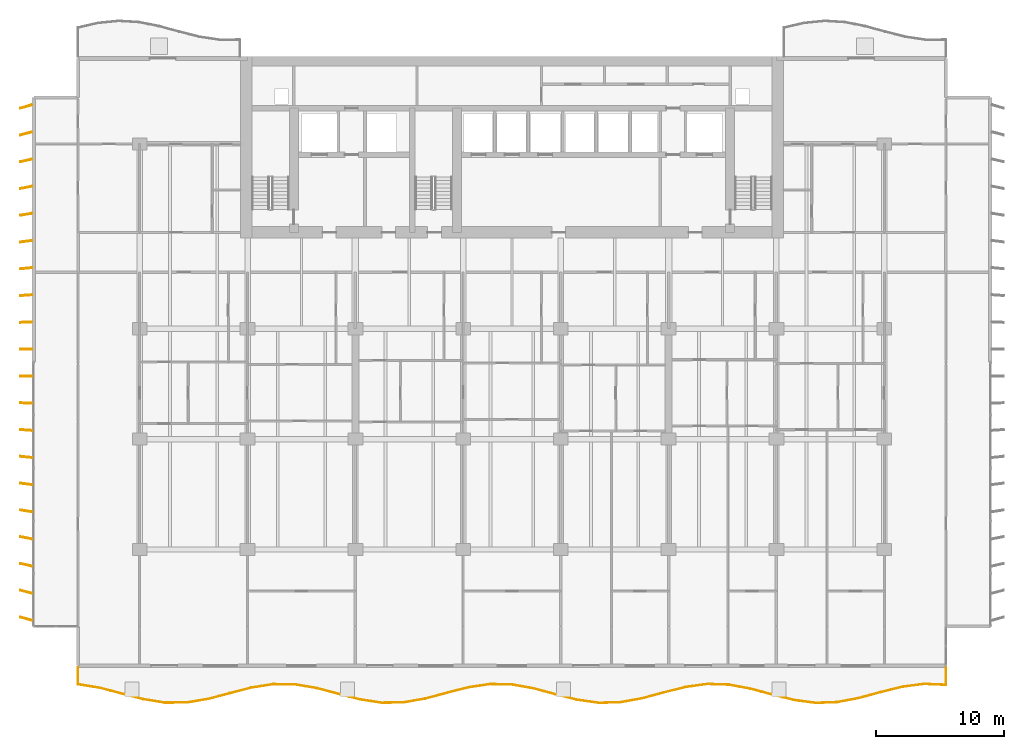
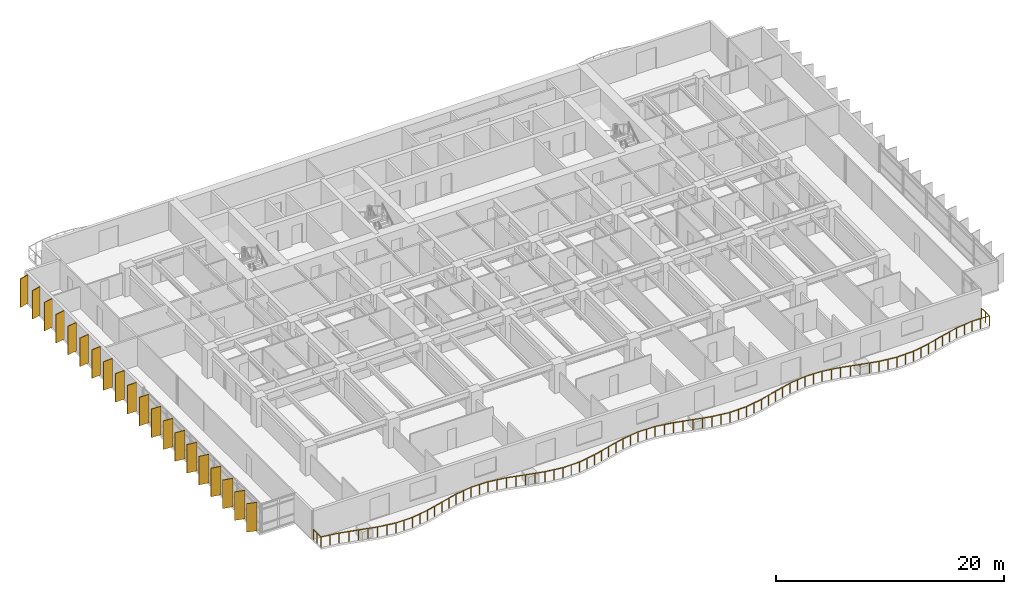
# One storey, part 15 of 18: 20 shading devices, 1 railing.
"""IFC4 building model written with IfcOpenShell, lengths in metres."""

import ifcopenshell
import ifcopenshell.guid

model = None  # the IFC model being written
_history = None  # IfcOwnerHistory: only IFC2X3 demands one
_inside = {}  # id of a spatial element -> (the spatial element, [elements in it])
_under = {}  # id of a project, library or spatial element -> (it, [spatial elements below it])
_declared = {}  # id of a project -> (the project, [libraries it declares])
_typed = {}  # id of a type object -> (the type object, [elements of that type])
_made_of = {}  # id of a material, layer set ... -> (it, [elements and type objects made of it])


def new_model(schema):
    """Start an empty IFC model of exactly this schema.

    Asked for "IFC4X3", IfcOpenShell would pick the latest addendum, in which some entities
    have other attributes; the version numbers below select the first issue.
    IFC2X3 requires an IfcOwnerHistory on every rooted entity: one is made here for all.
    """
    global model, _history
    if schema == "IFC4X3":
        model = ifcopenshell.file(schema_version=(4, 3, 0, 0))
    else:
        model = ifcopenshell.file(schema=schema)
    _inside.clear()
    _under.clear()
    _declared.clear()
    _typed.clear()
    _made_of.clear()
    _history = None
    if model.schema == "IFC2X3":
        org = make("IfcOrganization", Name="unknown")
        user = make(
            "IfcPersonAndOrganization",
            ThePerson=make("IfcPerson", FamilyName="unknown"),
            TheOrganization=org,
        )
        app = make(
            "IfcApplication",
            ApplicationDeveloper=org,
            Version="unknown",
            ApplicationFullName="unknown",
            ApplicationIdentifier="unknown",
        )
        _history = make(
            "IfcOwnerHistory",
            OwningUser=user,
            OwningApplication=app,
            ChangeAction="ADDED",
            CreationDate=0,
        )
    return model


def make(cls, **values):
    """One entity of the class cls with the attributes given. An attribute that is None is left unset."""
    return model.create_entity(
        cls, **{name: value for name, value in values.items() if value is not None}
    )


def rooted(cls, **values):
    """An entity with a GlobalId (a new one), such as an element, a storey or a relation."""
    return make(cls, GlobalId=ifcopenshell.guid.new(), OwnerHistory=_history, **values)


def si_unit(unit_type, name, prefix=None):
    """IfcSIUnit, for example si_unit("LENGTHUNIT", "METRE", prefix="MILLI")."""
    return make("IfcSIUnit", UnitType=unit_type, Prefix=prefix, Name=name)


def assignment(units):
    """IfcUnitAssignment: the units of a project."""
    return None if units is None else make("IfcUnitAssignment", Units=units)


def point(xyz):
    """IfcCartesianPoint."""
    return None if xyz is None else make("IfcCartesianPoint", Coordinates=xyz)


def direction(xyz):
    """IfcDirection."""
    return None if xyz is None else make("IfcDirection", DirectionRatios=xyz)


def frame(location, z_axis=None, x_axis=None):
    """IfcAxis2Placement3D, a coordinate frame: its origin and axes. An axis left out is left unset."""
    return make(
        "IfcAxis2Placement3D",
        Location=point(location),
        Axis=direction(z_axis),
        RefDirection=direction(x_axis),
    )


def frame_2d(location, x_axis=None):
    """IfcAxis2Placement2D, a coordinate frame in the plane: its origin and x axis."""
    return make(
        "IfcAxis2Placement2D", Location=point(location), RefDirection=direction(x_axis)
    )


def origin():
    """The frame at (0, 0, 0) with its axes left unset."""
    return frame((0.0, 0.0, 0.0))


def origin_2d():
    """The frame at (0, 0) in the plane with its x axis left unset."""
    return frame_2d((0.0, 0.0))


def place(relative_to, where):
    """IfcLocalPlacement: puts the frame where relative to a parent placement (None: the world)."""
    return make(
        "IfcLocalPlacement", PlacementRelTo=relative_to, RelativePlacement=where
    )


def context(
    kind, dimensions, precision=None, world=None, true_north=None, identifier=None
):
    """IfcGeometricRepresentationContext, for example the 3D "Model" context."""
    return make(
        "IfcGeometricRepresentationContext",
        ContextIdentifier=identifier,
        ContextType=kind,
        CoordinateSpaceDimension=dimensions,
        Precision=precision,
        WorldCoordinateSystem=world,
        TrueNorth=true_north,
    )


def subcontext(parent, identifier, kind, view, scale=None):
    """IfcGeometricRepresentationSubContext, for example "Body" below "Model"."""
    return make(
        "IfcGeometricRepresentationSubContext",
        ContextIdentifier=identifier,
        ContextType=kind,
        ParentContext=parent,
        TargetScale=scale,
        TargetView=view,
    )


def project(units=None, contexts=None):
    """IfcProject with its units and contexts."""
    return rooted(
        "IfcProject",
        Name="project",
        RepresentationContexts=contexts,
        UnitsInContext=assignment(units),
    )


def spatial(cls, under=None, at=None, **own):
    """A site, building, storey or space (cls), placed at a placement, below another one or the project."""
    s = rooted(cls, ObjectPlacement=at, **own)
    if under is not None:
        _under.setdefault(under.id(), (under, []))[1].append(s)
    return s


def profile(cls, at=None, kind="AREA", **sizes):
    """A parametric profile (cls). Its sizes go by their IFC names, for example OverallWidth=200.0."""
    return make(cls, ProfileType=kind, Position=at, **sizes)


def rectangle(**sizes):
    """IfcRectangleProfileDef."""
    return profile("IfcRectangleProfileDef", **sizes)


def circle(**sizes):
    """IfcCircleProfileDef."""
    return profile("IfcCircleProfileDef", **sizes)


def extrude(swept, where, along, depth):
    """IfcExtrudedAreaSolid: the profile swept, set in the frame where, extruded along a direction by depth."""
    return make(
        "IfcExtrudedAreaSolid",
        SweptArea=swept,
        Position=where,
        ExtrudedDirection=direction(along),
        Depth=depth,
    )


def shape(context_of_items, identifier, shape_type, items):
    """IfcShapeRepresentation: the items that make up one representation, for example the "Body"."""
    return make(
        "IfcShapeRepresentation",
        ContextOfItems=context_of_items,
        RepresentationIdentifier=identifier,
        RepresentationType=shape_type,
        Items=items,
    )


def material(Name=None, Category=None):
    """IfcMaterial."""
    return make("IfcMaterial", Name=Name, Category=Category)


def material_profile(
    of_material, cross_section, Name=None, Category=None, Priority=None
):
    """IfcMaterialProfile: a cross section and its material."""
    return make(
        "IfcMaterialProfile",
        Name=Name,
        Material=of_material,
        Profile=cross_section,
        Priority=Priority,
        Category=Category,
    )


def profile_set(profiles, Name=None, composite=None):
    """IfcMaterialProfileSet."""
    return make(
        "IfcMaterialProfileSet",
        Name=Name,
        MaterialProfiles=profiles,
        CompositeProfile=composite,
    )


def made_of(thing, what):
    """Note that an element or type object is made of a material, layer set ...; save() writes the relation."""
    if what is not None:
        _made_of.setdefault(what.id(), (what, []))[1].append(thing)
    return thing


def type_object(cls, material=None, **own):
    """A type object (cls), such as IfcWallType, which elements share."""
    return made_of(rooted(cls, **own), material)


def element(
    cls,
    number,
    at=None,
    inside=None,
    cuts=None,
    type_object=None,
    material=None,
    context=None,
    identifier="Body",
    shape_type=None,
    held_by="IfcProductDefinitionShape",
    body=None,
    shapes=None,
    **own,
):
    """One element of the class cls, such as IfcWall. Its Tag is "e" and its number.

    at: its placement. inside: the storey or other place that contains it. cuts: it is an
    opening in that element (IfcRelVoidsElement). A single representation is given by context,
    identifier, shape_type and body (its items); several are given by shapes. held_by: the class
    of the entity that holds the representations. save() writes the other relations.
    """
    e = rooted(cls, Tag="e%d" % number, ObjectPlacement=at, **own)
    if body is not None:
        shapes = [shape(context, identifier, shape_type, body)]
    if shapes is not None:
        e.Representation = make(held_by, Representations=shapes)
    if inside is not None:
        _inside.setdefault(inside.id(), (inside, []))[1].append(e)
    if cuts is not None:
        rooted(
            "IfcRelVoidsElement", RelatingBuildingElement=cuts, RelatedOpeningElement=e
        )
    if type_object is not None:
        _typed.setdefault(type_object.id(), (type_object, []))[1].append(e)
    return made_of(e, material)


def aggregate(whole, parts):
    """IfcRelAggregates: a whole, such as a stair, and the parts it consists of."""
    return rooted("IfcRelAggregates", RelatingObject=whole, RelatedObjects=parts)


def save(model, path):
    """Write the relations noted so far, then the file.

    IfcRelAggregates (storeys below a building ...), IfcRelContainedInSpatialStructure (elements
    in a storey), IfcRelDefinesByType, IfcRelAssociatesMaterial and IfcRelDeclares: one each for
    every whole, place, type object, material and project.
    """
    for whole, parts in _under.values():
        aggregate(whole, parts)
    for where, things in _inside.values():
        rooted(
            "IfcRelContainedInSpatialStructure",
            RelatedElements=things,
            RelatingStructure=where,
        )
    for kind, things in _typed.values():
        rooted("IfcRelDefinesByType", RelatedObjects=things, RelatingType=kind)
    for what, things in _made_of.values():
        rooted("IfcRelAssociatesMaterial", RelatedObjects=things, RelatingMaterial=what)
    for by, libraries in _declared.values():
        rooted("IfcRelDeclares", RelatingContext=by, RelatedDefinitions=libraries)
    model.write(path)


model = new_model("IFC4")

# Units and contexts
model_context = context("Model", 3, precision=1e-05, world=origin(), true_north=direction((0.0, 1.0)))
body_context = subcontext(model_context, "Body", "Model", "MODEL_VIEW")
ifc_project = project(units=[si_unit("LENGTHUNIT", "METRE"), si_unit("AREAUNIT", "SQUARE_METRE"), si_unit("VOLUMEUNIT", "CUBIC_METRE"), si_unit("PLANEANGLEUNIT", "RADIAN"), si_unit("MASSUNIT", "GRAM", prefix="KILO")], contexts=[model_context])

# Site, building, storey
site_placement = place(None, origin())
site = spatial("IfcSite", under=ifc_project, at=site_placement, CompositionType="ELEMENT")
building_placement = place(site_placement, origin())
building = spatial("IfcBuilding", under=site, at=building_placement, Name="Caelmar Bay Residences", CompositionType="ELEMENT")
storey_placement = place(building_placement, frame((0.0, 0.0, 56.39990234375)))
storey = spatial("IfcBuildingStorey", under=building, at=storey_placement, Name="L14", CompositionType="ELEMENT", Elevation=56.39990234375)

# Railing
ifc_material_1 = material(Name="Anodised bronze handrail with laminated hurricane glass infill", Category="glass")
railing_type = type_object("IfcRailingType", Name="RL-BAL-1100", PredefinedType="BALUSTRADE", material=ifc_material_1)
railing_placement = place(storey_placement, frame((5.10009765625, 3.0, 0.0)))
element("IfcRailing", 1, at=railing_placement, inside=storey, type_object=railing_type, Name="L14 south Balcony Balustrade", PredefinedType="BALUSTRADE", context=body_context, shape_type="SweptSolid", body=[
    extrude(circle(Radius=0.02392578125, at=origin_2d()), frame((0.0, 0.0, 1.076171875), z_axis=(0.0, -1.0, 0.0), x_axis=(1.0, 0.0, 0.0)), (0.0, 0.0, 1.0), 1.306640625),
    extrude(circle(Radius=0.02392578125, at=origin_2d()), frame((0.0, -1.306640625, 1.076171875), z_axis=(0.987048783578, -0.160420381613, 0.0), x_axis=(0.160420381613, 0.987048783578, 0.0)), (0.0, 0.0, 1.0), 1.712158203125),
    extrude(circle(Radius=0.02392578125, at=origin_2d()), frame((1.68994140625, -1.581298828125, 1.076171875), z_axis=(0.967128809859, -0.254286973988, 0.0), x_axis=(0.254286973988, 0.967128809859, 0.0)), (0.0, 0.0, 1.0), 1.747314453125),
    extrude(circle(Radius=0.02392578125, at=origin_2d()), frame((3.3798828125, -2.025634765625, 1.076171875), z_axis=(0.967471654439, -0.252979441568, 0.0), x_axis=(0.252979441568, 0.967471654439, 0.0)), (0.0, 0.0, 1.0), 1.746826171875),
    extrude(circle(Radius=0.02392578125, at=origin_2d()), frame((5.06982421875, -2.467529296875, 1.076171875), z_axis=(0.987544565194, -0.157339542887, 0.0), x_axis=(0.157339542887, 0.987544565194, 0.0)), (0.0, 0.0, 1.0), 1.71142578125),
    extrude(circle(Radius=0.02392578125, at=origin_2d()), frame((6.760009765625, -2.73681640625, 1.076171875), z_axis=(0.999988636103, 0.004767354087, 0.0), x_axis=(-0.004767354087, 0.999988636103, 0.0)), (0.0, 0.0, 1.0), 1.68994140625),
    extrude(circle(Radius=0.02392578125, at=origin_2d()), frame((8.449951171875, -2.728759765625, 1.076171875), z_axis=(0.986386220037, 0.164445203398, 0.0), x_axis=(-0.164445203398, 0.986386220037, 0.0)), (0.0, 0.0, 1.0), 1.71337890625),
    extrude(circle(Radius=0.02392578125, at=origin_2d()), frame((10.139892578125, -2.447021484375, 1.076171875), z_axis=(0.966818948521, 0.255462562387, 0.0), x_axis=(-0.255462562387, 0.966818948521, 0.0)), (0.0, 0.0, 1.0), 1.748046875),
    extrude(circle(Radius=0.02392578125, at=origin_2d()), frame((11.829833984375, -2.00048828125, 1.076171875), z_axis=(0.967855864516, 0.251505517877, 0.0), x_axis=(-0.251505517877, 0.967855864516, 0.0)), (0.0, 0.0, 1.0), 1.746337890625),
    extrude(circle(Radius=0.02392578125, at=origin_2d()), frame((13.52001953125, -1.561279296875, 1.076171875), z_axis=(0.988197761008, 0.153183501526, 0.0), x_axis=(-0.153183501526, 0.988197761008, 0.0)), (0.0, 0.0, 1.0), 1.710205078125),
    extrude(circle(Radius=0.02392578125, at=origin_2d()), frame((15.2099609375, -1.29931640625, 1.076171875), z_axis=(0.999951750457, -0.00982327637, 0.0), x_axis=(0.00982327637, 0.999951750457, 0.0)), (0.0, 0.0, 1.0), 1.68994140625),
    extrude(circle(Radius=0.02392578125, at=origin_2d()), frame((16.89990234375, -1.31591796875, 1.076171875), z_axis=(0.985731815478, -0.168323462279, 0.0), x_axis=(0.168323462279, 0.985731815478, 0.0)), (0.0, 0.0, 1.0), 1.71435546875),
    extrude(circle(Radius=0.02392578125, at=origin_2d()), frame((18.58984375, -1.6044921875, 1.076171875), z_axis=(0.966438560958, -0.256897854979, 0.0), x_axis=(0.256897854979, 0.966438560958, 0.0)), (0.0, 0.0, 1.0), 1.74853515625),
    extrude(circle(Radius=0.02392578125, at=origin_2d()), frame((20.27978515625, -2.0537109375, 1.076171875), z_axis=(0.968296970277, -0.249801876197, 0.0), x_axis=(0.249801876197, 0.968296970277, 0.0)), (0.0, 0.0, 1.0), 1.74560546875),
    extrude(circle(Radius=0.02392578125, at=origin_2d()), frame((21.969970703125, -2.48974609375, 1.076171875), z_axis=(0.988837638732, -0.148997061138, 0.0), x_axis=(0.148997061138, 0.988837638732, 0.0)), (0.0, 0.0, 1.0), 1.708984375),
    extrude(circle(Radius=0.02392578125, at=origin_2d()), frame((23.659912109375, -2.744384765625, 1.076171875), z_axis=(0.999889309805, 0.014878445378, 0.0), x_axis=(-0.014878445378, 0.999889309805, 0.0)), (0.0, 0.0, 1.0), 1.690185546875),
    extrude(circle(Radius=0.02392578125, at=origin_2d()), frame((25.349853515625, -2.71923828125, 1.076171875), z_axis=(0.985063070992, 0.17219392024, 0.0), x_axis=(-0.17219392024, 0.985063070992, 0.0)), (0.0, 0.0, 1.0), 1.715576171875),
    extrude(circle(Radius=0.02392578125, at=origin_2d()), frame((27.039794921875, -2.423828125, 1.076171875), z_axis=(0.966135268407, 0.258036127587, 0.0), x_axis=(-0.258036127587, 0.966135268407, 0.0)), (0.0, 0.0, 1.0), 1.74951171875),
    extrude(circle(Radius=0.02392578125, at=origin_2d()), frame((28.72998046875, -1.972412109375, 1.076171875), z_axis=(0.968693212149, 0.248260872342, 0.0), x_axis=(-0.248260872342, 0.968693212149, 0.0)), (0.0, 0.0, 1.0), 1.74462890625),
    extrude(circle(Radius=0.02392578125, at=origin_2d()), frame((30.419921875, -1.539306640625, 1.076171875), z_axis=(0.989460564614, 0.144802593463, 0.0), x_axis=(-0.144802593463, 0.989460564614, 0.0)), (0.0, 0.0, 1.0), 1.7080078125),
    extrude(circle(Radius=0.02392578125, at=origin_2d()), frame((32.10986328125, -1.2919921875, 1.076171875), z_axis=(0.999798439654, -0.02007685396, 0.0), x_axis=(0.02007685396, 0.999798439654, 0.0)), (0.0, 0.0, 1.0), 1.690185546875),
    extrude(circle(Radius=0.02392578125, at=origin_2d()), frame((33.7998046875, -1.325927734375, 1.076171875), z_axis=(0.984384484589, -0.176031776964, 0.0), x_axis=(0.176031776964, 0.984384484589, 0.0)), (0.0, 0.0, 1.0), 1.717041015625),
    extrude(circle(Radius=0.02392578125, at=origin_2d()), frame((35.489990234375, -1.628173828125, 1.076171875), z_axis=(0.965847095879, -0.259112692437, 0.0), x_axis=(0.259112692437, 0.965847095879, 0.0)), (0.0, 0.0, 1.0), 1.749755859375),
    extrude(circle(Radius=0.02392578125, at=origin_2d()), frame((37.179931640625, -2.08154296875, 1.076171875), z_axis=(0.969162863866, -0.246421069114, 0.0), x_axis=(0.246421069114, 0.969162863866, 0.0)), (0.0, 0.0, 1.0), 1.74365234375),
    extrude(circle(Radius=0.02392578125, at=origin_2d()), frame((38.869873046875, -2.51123046875, 1.076171875), z_axis=(0.990066439331, -0.140600304805, 0.0), x_axis=(0.140600304805, 0.990066439331, 0.0)), (0.0, 0.0, 1.0), 1.706787109375),
    extrude(circle(Radius=0.02392578125, at=origin_2d()), frame((40.559814453125, -2.751220703125, 1.076171875), z_axis=(0.999680662905, 0.025269986423, 0.0), x_axis=(-0.025269986423, 0.999680662905, 0.0)), (0.0, 0.0, 1.0), 1.690673828125),
    extrude(circle(Radius=0.02392578125, at=origin_2d()), frame((42.25, -2.70849609375, 1.076171875), z_axis=(0.983733191726, 0.179635763413, 0.0), x_axis=(-0.179635763413, 0.983733191726, 0.0)), (0.0, 0.0, 1.0), 1.7177734375),
    extrude(circle(Radius=0.02392578125, at=origin_2d()), frame((43.93994140625, -2.39990234375, 1.076171875), z_axis=(0.965532208633, 0.260283603194, 0.0), x_axis=(-0.260283603194, 0.965532208633, 0.0)), (0.0, 0.0, 1.0), 1.750244140625),
    extrude(circle(Radius=0.02392578125, at=origin_2d()), frame((45.6298828125, -1.9443359375, 1.076171875), z_axis=(0.969662682279, 0.244446891155, 0.0), x_axis=(-0.244446891155, 0.969662682279, 0.0)), (0.0, 0.0, 1.0), 1.742919921875),
    extrude(circle(Radius=0.02392578125, at=origin_2d()), frame((47.31982421875, -1.518310546875, 1.076171875), z_axis=(0.990677150051, 0.13623062933, 0.0), x_axis=(-0.13623062933, 0.990677150051, 0.0)), (0.0, 0.0, 1.0), 1.7060546875),
    extrude(circle(Radius=0.02392578125, at=origin_2d()), frame((49.010009765625, -1.285888671875, 1.076171875), z_axis=(0.999540118713, -0.030324100683, 0.0), x_axis=(0.030324100683, 0.999540118713, 0.0)), (0.0, 0.0, 1.0), 1.690673828125),
    extrude(circle(Radius=0.02392578125, at=origin_2d()), frame((50.699951171875, -1.337158203125, 1.076171875), z_axis=(0.983048586958, -0.183345236314, 0.0), x_axis=(0.183345236314, 0.983048586958, 0.0)), (0.0, 0.0, 1.0), 1.718994140625),
    extrude(circle(Radius=0.02392578125, at=origin_2d()), frame((52.389892578125, -1.65234375, 1.076171875), z_axis=(0.965286457921, -0.261193518591, 0.0), x_axis=(0.261193518591, 0.965286457921, 0.0)), (0.0, 0.0, 1.0), 1.750732421875),
    extrude(circle(Radius=0.02392578125, at=origin_2d()), frame((54.079833984375, -2.109619140625, 1.076171875), z_axis=(0.970134256523, -0.242568597146, 0.0), x_axis=(0.242568597146, 0.970134256523, 0.0)), (0.0, 0.0, 1.0), 1.7421875),
    extrude(circle(Radius=0.02392578125, at=origin_2d()), frame((55.77001953125, -2.5322265625, 1.076171875), z_axis=(0.991282846485, -0.131750970639, 0.0), x_axis=(0.131750970639, 0.991282846485, 0.0)), (0.0, 0.0, 1.0), 1.704833984375),
    extrude(circle(Radius=0.02392578125, at=origin_2d()), frame((57.4599609375, -2.7568359375, 1.076171875), z_axis=(0.99937420633, 0.035372245095, 0.0), x_axis=(-0.035372245095, 0.99937420633, 0.0)), (0.0, 0.0, 1.0), 1.69091796875),
    extrude(circle(Radius=0.02392578125, at=origin_2d()), frame((59.14990234375, -2.697021484375, 1.076171875), z_axis=(0.98237705372, 0.186909936398, 0.0), x_axis=(-0.186909936398, 0.98237705372, 0.0)), (0.0, 0.0, 1.0), 1.72021484375),
    extrude(circle(Radius=0.02392578125, at=origin_2d()), frame((60.83984375, -2.37548828125, 1.076171875), z_axis=(0.965039975648, 0.262102738257, 0.0), x_axis=(-0.262102738257, 0.965039975648, 0.0)), (0.0, 0.0, 1.0), 1.751220703125),
    extrude(circle(Radius=0.02392578125, at=origin_2d()), frame((62.52978515625, -1.91650390625, 1.076171875), z_axis=(0.970659868136, 0.240456691298, 0.0), x_axis=(-0.240456691298, 0.970659868136, 0.0)), (0.0, 0.0, 1.0), 1.7412109375),
    extrude(circle(Radius=0.02392578125, at=origin_2d()), frame((64.219970703125, -1.497802734375, 1.076171875), z_axis=(0.991835257497, 0.127525769889, 0.0), x_axis=(-0.127525769889, 0.991835257497, 0.0)), (0.0, 0.0, 1.0), 1.703857421875),
    extrude(circle(Radius=0.02392578125, at=origin_2d()), frame((65.909912109375, -1.280517578125, 1.076171875), z_axis=(0.999177031749, -0.040561795135, 0.0), x_axis=(0.040561795135, 0.999177031749, 0.0)), (0.0, 0.0, 1.0), 1.69140625),
    extrude(circle(Radius=0.02392578125, at=origin_2d()), frame((67.599853515625, -1.34912109375, 1.076171875), z_axis=(0.0, 1.0, 0.0), x_axis=(-1.0, 0.0, 0.0)), (0.0, 0.0, 1.0), 1.34912109375),
    extrude(circle(Radius=0.02099609375, at=origin_2d()), origin(), (0.0, 0.0, 1.0), 1.052001953125),
    extrude(circle(Radius=0.02099609375, at=origin_2d()), frame((0.0, -0.6533203125, 0.0)), (0.0, 0.0, 1.0), 1.052001953125),
    extrude(circle(Radius=0.02099609375, at=origin_2d()), frame((0.0, -1.306640625, 0.0)), (0.0, 0.0, 1.0), 1.052001953125),
    extrude(circle(Radius=0.02099609375, at=origin_2d()), frame((0.844970703125, -1.44384765625, 0.0)), (0.0, 0.0, 1.0), 1.052001953125),
    extrude(circle(Radius=0.02099609375, at=origin_2d()), frame((1.68994140625, -1.581298828125, 0.0)), (0.0, 0.0, 1.0), 1.052001953125),
    extrude(circle(Radius=0.02099609375, at=origin_2d()), frame((2.534912109375, -1.803466796875, 0.0)), (0.0, 0.0, 1.0), 1.052001953125),
    extrude(circle(Radius=0.02099609375, at=origin_2d()), frame((3.3798828125, -2.025634765625, 0.0)), (0.0, 0.0, 1.0), 1.052001953125),
    extrude(circle(Radius=0.02099609375, at=origin_2d()), frame((4.224853515625, -2.24658203125, 0.0)), (0.0, 0.0, 1.0), 1.052001953125),
    extrude(circle(Radius=0.02099609375, at=origin_2d()), frame((5.06982421875, -2.467529296875, 0.0)), (0.0, 0.0, 1.0), 1.052001953125),
    extrude(circle(Radius=0.02099609375, at=origin_2d()), frame((5.9150390625, -2.60205078125, 0.0)), (0.0, 0.0, 1.0), 1.052001953125),
    extrude(circle(Radius=0.02099609375, at=origin_2d()), frame((6.760009765625, -2.73681640625, 0.0)), (0.0, 0.0, 1.0), 1.052001953125),
    extrude(circle(Radius=0.02099609375, at=origin_2d()), frame((7.60498046875, -2.73291015625, 0.0)), (0.0, 0.0, 1.0), 1.052001953125),
    extrude(circle(Radius=0.02099609375, at=origin_2d()), frame((8.449951171875, -2.728759765625, 0.0)), (0.0, 0.0, 1.0), 1.052001953125),
    extrude(circle(Radius=0.02099609375, at=origin_2d()), frame((9.294921875, -2.587890625, 0.0)), (0.0, 0.0, 1.0), 1.052001953125),
    extrude(circle(Radius=0.02099609375, at=origin_2d()), frame((10.139892578125, -2.447021484375, 0.0)), (0.0, 0.0, 1.0), 1.052001953125),
    extrude(circle(Radius=0.02099609375, at=origin_2d()), frame((10.98486328125, -2.2236328125, 0.0)), (0.0, 0.0, 1.0), 1.052001953125),
    extrude(circle(Radius=0.02099609375, at=origin_2d()), frame((11.829833984375, -2.00048828125, 0.0)), (0.0, 0.0, 1.0), 1.052001953125),
    extrude(circle(Radius=0.02099609375, at=origin_2d()), frame((12.6748046875, -1.78076171875, 0.0)), (0.0, 0.0, 1.0), 1.052001953125),
    extrude(circle(Radius=0.02099609375, at=origin_2d()), frame((13.52001953125, -1.561279296875, 0.0)), (0.0, 0.0, 1.0), 1.052001953125),
    extrude(circle(Radius=0.02099609375, at=origin_2d()), frame((14.364990234375, -1.43017578125, 0.0)), (0.0, 0.0, 1.0), 1.052001953125),
    extrude(circle(Radius=0.02099609375, at=origin_2d()), frame((15.2099609375, -1.29931640625, 0.0)), (0.0, 0.0, 1.0), 1.052001953125),
    extrude(circle(Radius=0.02099609375, at=origin_2d()), frame((16.054931640625, -1.3076171875, 0.0)), (0.0, 0.0, 1.0), 1.052001953125),
    extrude(circle(Radius=0.02099609375, at=origin_2d()), frame((16.89990234375, -1.31591796875, 0.0)), (0.0, 0.0, 1.0), 1.052001953125),
    extrude(circle(Radius=0.02099609375, at=origin_2d()), frame((17.744873046875, -1.460205078125, 0.0)), (0.0, 0.0, 1.0), 1.052001953125),
    extrude(circle(Radius=0.02099609375, at=origin_2d()), frame((18.58984375, -1.6044921875, 0.0)), (0.0, 0.0, 1.0), 1.052001953125),
    extrude(circle(Radius=0.02099609375, at=origin_2d()), frame((19.434814453125, -1.8291015625, 0.0)), (0.0, 0.0, 1.0), 1.052001953125),
    extrude(circle(Radius=0.02099609375, at=origin_2d()), frame((20.27978515625, -2.0537109375, 0.0)), (0.0, 0.0, 1.0), 1.052001953125),
    extrude(circle(Radius=0.02099609375, at=origin_2d()), frame((21.125, -2.271728515625, 0.0)), (0.0, 0.0, 1.0), 1.052001953125),
    extrude(circle(Radius=0.02099609375, at=origin_2d()), frame((21.969970703125, -2.48974609375, 0.0)), (0.0, 0.0, 1.0), 1.052001953125),
    extrude(circle(Radius=0.02099609375, at=origin_2d()), frame((22.81494140625, -2.6171875, 0.0)), (0.0, 0.0, 1.0), 1.052001953125),
    extrude(circle(Radius=0.02099609375, at=origin_2d()), frame((23.659912109375, -2.744384765625, 0.0)), (0.0, 0.0, 1.0), 1.052001953125),
    extrude(circle(Radius=0.02099609375, at=origin_2d()), frame((24.5048828125, -2.73193359375, 0.0)), (0.0, 0.0, 1.0), 1.052001953125),
    extrude(circle(Radius=0.02099609375, at=origin_2d()), frame((25.349853515625, -2.71923828125, 0.0)), (0.0, 0.0, 1.0), 1.052001953125),
    extrude(circle(Radius=0.02099609375, at=origin_2d()), frame((26.19482421875, -2.571533203125, 0.0)), (0.0, 0.0, 1.0), 1.052001953125),
    extrude(circle(Radius=0.02099609375, at=origin_2d()), frame((27.039794921875, -2.423828125, 0.0)), (0.0, 0.0, 1.0), 1.052001953125),
    extrude(circle(Radius=0.02099609375, at=origin_2d()), frame((27.884765625, -2.1982421875, 0.0)), (0.0, 0.0, 1.0), 1.052001953125),
    extrude(circle(Radius=0.02099609375, at=origin_2d()), frame((28.72998046875, -1.972412109375, 0.0)), (0.0, 0.0, 1.0), 1.052001953125),
    extrude(circle(Radius=0.02099609375, at=origin_2d()), frame((29.574951171875, -1.755859375, 0.0)), (0.0, 0.0, 1.0), 1.052001953125),
    extrude(circle(Radius=0.02099609375, at=origin_2d()), frame((30.419921875, -1.539306640625, 0.0)), (0.0, 0.0, 1.0), 1.052001953125),
    extrude(circle(Radius=0.02099609375, at=origin_2d()), frame((31.264892578125, -1.41552734375, 0.0)), (0.0, 0.0, 1.0), 1.052001953125),
    extrude(circle(Radius=0.02099609375, at=origin_2d()), frame((32.10986328125, -1.2919921875, 0.0)), (0.0, 0.0, 1.0), 1.052001953125),
    extrude(circle(Radius=0.02099609375, at=origin_2d()), frame((32.954833984375, -1.30908203125, 0.0)), (0.0, 0.0, 1.0), 1.052001953125),
    extrude(circle(Radius=0.02099609375, at=origin_2d()), frame((33.7998046875, -1.325927734375, 0.0)), (0.0, 0.0, 1.0), 1.052001953125),
    extrude(circle(Radius=0.02099609375, at=origin_2d()), frame((34.64501953125, -1.47705078125, 0.0)), (0.0, 0.0, 1.0), 1.052001953125),
    extrude(circle(Radius=0.02099609375, at=origin_2d()), frame((35.489990234375, -1.628173828125, 0.0)), (0.0, 0.0, 1.0), 1.052001953125),
    extrude(circle(Radius=0.02099609375, at=origin_2d()), frame((36.3349609375, -1.85498046875, 0.0)), (0.0, 0.0, 1.0), 1.052001953125),
    extrude(circle(Radius=0.02099609375, at=origin_2d()), frame((37.179931640625, -2.08154296875, 0.0)), (0.0, 0.0, 1.0), 1.052001953125),
    extrude(circle(Radius=0.02099609375, at=origin_2d()), frame((38.02490234375, -2.29638671875, 0.0)), (0.0, 0.0, 1.0), 1.052001953125),
    extrude(circle(Radius=0.02099609375, at=origin_2d()), frame((38.869873046875, -2.51123046875, 0.0)), (0.0, 0.0, 1.0), 1.052001953125),
    extrude(circle(Radius=0.02099609375, at=origin_2d()), frame((39.71484375, -2.63134765625, 0.0)), (0.0, 0.0, 1.0), 1.052001953125),
    extrude(circle(Radius=0.02099609375, at=origin_2d()), frame((40.559814453125, -2.751220703125, 0.0)), (0.0, 0.0, 1.0), 1.052001953125),
    extrude(circle(Radius=0.02099609375, at=origin_2d()), frame((41.40478515625, -2.72998046875, 0.0)), (0.0, 0.0, 1.0), 1.052001953125),
    extrude(circle(Radius=0.02099609375, at=origin_2d()), frame((42.25, -2.70849609375, 0.0)), (0.0, 0.0, 1.0), 1.052001953125),
    extrude(circle(Radius=0.02099609375, at=origin_2d()), frame((43.094970703125, -2.55419921875, 0.0)), (0.0, 0.0, 1.0), 1.052001953125),
    extrude(circle(Radius=0.02099609375, at=origin_2d()), frame((43.93994140625, -2.39990234375, 0.0)), (0.0, 0.0, 1.0), 1.052001953125),
    extrude(circle(Radius=0.02099609375, at=origin_2d()), frame((44.784912109375, -2.172119140625, 0.0)), (0.0, 0.0, 1.0), 1.052001953125),
    extrude(circle(Radius=0.02099609375, at=origin_2d()), frame((45.6298828125, -1.9443359375, 0.0)), (0.0, 0.0, 1.0), 1.052001953125),
    extrude(circle(Radius=0.02099609375, at=origin_2d()), frame((46.474853515625, -1.7314453125, 0.0)), (0.0, 0.0, 1.0), 1.052001953125),
    extrude(circle(Radius=0.02099609375, at=origin_2d()), frame((47.31982421875, -1.518310546875, 0.0)), (0.0, 0.0, 1.0), 1.052001953125),
    extrude(circle(Radius=0.02099609375, at=origin_2d()), frame((48.1650390625, -1.402099609375, 0.0)), (0.0, 0.0, 1.0), 1.052001953125),
    extrude(circle(Radius=0.02099609375, at=origin_2d()), frame((49.010009765625, -1.285888671875, 0.0)), (0.0, 0.0, 1.0), 1.052001953125),
    extrude(circle(Radius=0.02099609375, at=origin_2d()), frame((49.85498046875, -1.3115234375, 0.0)), (0.0, 0.0, 1.0), 1.052001953125),
    extrude(circle(Radius=0.02099609375, at=origin_2d()), frame((50.699951171875, -1.337158203125, 0.0)), (0.0, 0.0, 1.0), 1.052001953125),
    extrude(circle(Radius=0.02099609375, at=origin_2d()), frame((51.544921875, -1.49462890625, 0.0)), (0.0, 0.0, 1.0), 1.052001953125),
    extrude(circle(Radius=0.02099609375, at=origin_2d()), frame((52.389892578125, -1.65234375, 0.0)), (0.0, 0.0, 1.0), 1.052001953125),
    extrude(circle(Radius=0.02099609375, at=origin_2d()), frame((53.23486328125, -1.880859375, 0.0)), (0.0, 0.0, 1.0), 1.052001953125),
    extrude(circle(Radius=0.02099609375, at=origin_2d()), frame((54.079833984375, -2.109619140625, 0.0)), (0.0, 0.0, 1.0), 1.052001953125),
    extrude(circle(Radius=0.02099609375, at=origin_2d()), frame((54.9248046875, -2.32080078125, 0.0)), (0.0, 0.0, 1.0), 1.052001953125),
    extrude(circle(Radius=0.02099609375, at=origin_2d()), frame((55.77001953125, -2.5322265625, 0.0)), (0.0, 0.0, 1.0), 1.052001953125),
    extrude(circle(Radius=0.02099609375, at=origin_2d()), frame((56.614990234375, -2.64453125, 0.0)), (0.0, 0.0, 1.0), 1.052001953125),
    extrude(circle(Radius=0.02099609375, at=origin_2d()), frame((57.4599609375, -2.7568359375, 0.0)), (0.0, 0.0, 1.0), 1.052001953125),
    extrude(circle(Radius=0.02099609375, at=origin_2d()), frame((58.304931640625, -2.72705078125, 0.0)), (0.0, 0.0, 1.0), 1.052001953125),
    extrude(circle(Radius=0.02099609375, at=origin_2d()), frame((59.14990234375, -2.697021484375, 0.0)), (0.0, 0.0, 1.0), 1.052001953125),
    extrude(circle(Radius=0.02099609375, at=origin_2d()), frame((59.994873046875, -2.5361328125, 0.0)), (0.0, 0.0, 1.0), 1.052001953125),
    extrude(circle(Radius=0.02099609375, at=origin_2d()), frame((60.83984375, -2.37548828125, 0.0)), (0.0, 0.0, 1.0), 1.052001953125),
    extrude(circle(Radius=0.02099609375, at=origin_2d()), frame((61.684814453125, -2.14599609375, 0.0)), (0.0, 0.0, 1.0), 1.052001953125),
    extrude(circle(Radius=0.02099609375, at=origin_2d()), frame((62.52978515625, -1.91650390625, 0.0)), (0.0, 0.0, 1.0), 1.052001953125),
    extrude(circle(Radius=0.02099609375, at=origin_2d()), frame((63.375, -1.70703125, 0.0)), (0.0, 0.0, 1.0), 1.052001953125),
    extrude(circle(Radius=0.02099609375, at=origin_2d()), frame((64.219970703125, -1.497802734375, 0.0)), (0.0, 0.0, 1.0), 1.052001953125),
    extrude(circle(Radius=0.02099609375, at=origin_2d()), frame((65.06494140625, -1.38916015625, 0.0)), (0.0, 0.0, 1.0), 1.052001953125),
    extrude(circle(Radius=0.02099609375, at=origin_2d()), frame((65.909912109375, -1.280517578125, 0.0)), (0.0, 0.0, 1.0), 1.052001953125),
    extrude(circle(Radius=0.02099609375, at=origin_2d()), frame((66.7548828125, -1.31494140625, 0.0)), (0.0, 0.0, 1.0), 1.052001953125),
    extrude(circle(Radius=0.02099609375, at=origin_2d()), frame((67.599853515625, -1.34912109375, 0.0)), (0.0, 0.0, 1.0), 1.052001953125),
    extrude(circle(Radius=0.02099609375, at=origin_2d()), frame((67.599853515625, -0.674560546875, 0.0)), (0.0, 0.0, 1.0), 1.052001953125),
    extrude(circle(Radius=0.02099609375, at=origin_2d()), frame((67.599853515625, 0.0, 0.0)), (0.0, 0.0, 1.0), 1.052001953125),
])

# Shading devices
ifc_material_2 = material(Name="Anodised architectural bronze aluminium 6063-T6", Category="aluminium")
ifc_material_profile = material_profile(ifc_material_2, rectangle(XDim=0.074951171875, YDim=0.949951171875, at=origin_2d()), Name="BRONZE-FIN-75X950")
ifc_profile_set = profile_set([ifc_material_profile], Name="Anodised architectural bronze aluminium 6063-T6")
shading_device_type = type_object("IfcShadingDeviceType", Name="SHD-FIN-950", PredefinedType="USERDEFINED", material=ifc_profile_set)
for number, where, z_axis, x_axis, name in (
    (2, (1.050048828125, 6.800048828125, 0.0), (0.0, 0.0, 1.0), (0.275637355817, 0.961261695938, 0.0), "L14 West Bronze Solar Fin 1"),
    (3, (1.050048828125, 8.89990234375, 0.0), (0.0, 0.0, 1.0), (0.247337247968, 0.968929453452, 0.0), "L14 West Bronze Solar Fin 2"),
    (4, (1.050048828125, 11.0, 0.0), (0.0, 0.0, 1.0), (0.218654200292, 0.975802408633, 0.0), "L14 West Bronze Solar Fin 3"),
    (5, (1.050048828125, 13.10009765625, 0.0), (0.0, 0.0, 1.0), (0.189952291512, 0.981793321911, 0.0), "L14 West Bronze Solar Fin 4"),
    (6, (1.050048828125, 15.199951171875, 0.0), (0.0, 0.0, 1.0), (0.160914826518, 0.986968296657, 0.0), "L14 West Bronze Solar Fin 5"),
    (7, (1.050048828125, 17.300048828125, 0.0), (0.0, 0.0, 1.0), (0.131910382711, 0.991261646052, 0.0), "L14 West Bronze Solar Fin 6"),
    (8, (1.050048828125, 19.39990234375, 0.0), (0.0, 0.0, 1.0), (0.10261892683, 0.994720742649, 0.0), "L14 West Bronze Solar Fin 7"),
    (9, (1.050048828125, 21.5, 0.0), (0.0, 0.0, 1.0), (0.073412260224, 0.997301679558, 0.0), "L14 West Bronze Solar Fin 8"),
    (10, (1.050048828125, 23.60009765625, 0.0), (0.0, 0.0, 1.0), (0.044142481788, 0.999025245578, 0.0), "L14 West Bronze Solar Fin 9"),
    (11, (1.050048828125, 25.699951171875, 0.0), (0.0, 0.0, 1.0), (0.01466024053, 0.999892532899, 0.0), "L14 West Bronze Solar Fin 10"),
    (12, (1.050048828125, 27.800048828125, 0.0), (0.0, 0.0, 1.0), (-0.01466024053, 0.999892532899, 0.0), "L14 West Bronze Solar Fin 11"),
    (13, (1.050048828125, 29.89990234375, 0.0), (0.0, 0.0, 1.0), (-0.044142481788, 0.999025245578, 0.0), "L14 West Bronze Solar Fin 12"),
    (14, (1.050048828125, 32.0, 0.0), (0.0, 0.0, 1.0), (-0.073412260224, 0.997301679558, 0.0), "L14 West Bronze Solar Fin 13"),
    (15, (1.050048828125, 34.10009765625, 0.0), (0.0, 0.0, 1.0), (-0.10261892683, 0.994720742649, 0.0), "L14 West Bronze Solar Fin 14"),
    (16, (1.050048828125, 36.199951171875, 0.0), (0.0, 0.0, 1.0), (-0.131910382711, 0.991261646052, 0.0), "L14 West Bronze Solar Fin 15"),
    (17, (1.050048828125, 38.300048828125, 0.0), (0.0, 0.0, 1.0), (-0.160914826518, 0.986968296657, 0.0), "L14 West Bronze Solar Fin 16"),
    (18, (1.050048828125, 40.39990234375, 0.0), (0.0, 0.0, 1.0), (-0.189952291512, 0.981793321911, 0.0), "L14 West Bronze Solar Fin 17"),
    (19, (1.050048828125, 42.5, 0.0), (0.0, 0.0, 1.0), (-0.218654200292, 0.975802408633, 0.0), "L14 West Bronze Solar Fin 18"),
    (20, (1.050048828125, 44.60009765625, 0.0), (0.0, 0.0, 1.0), (-0.247337247968, 0.968929453452, 0.0), "L14 West Bronze Solar Fin 19"),
    (21, (1.050048828125, 46.699951171875, 0.0), (0.0, 0.0, 1.0), (-0.275637355817, 0.961261695938, 0.0), "L14 West Bronze Solar Fin 20"),
):
    element("IfcShadingDevice", number, at=place(storey_placement, frame(where, z_axis=z_axis, x_axis=x_axis)), inside=storey, type_object=shading_device_type, Name=name, ObjectType="FIN", PredefinedType="USERDEFINED", context=body_context, shape_type="SweptSolid", body=[
        extrude(rectangle(XDim=0.074951171875, YDim=0.949951171875, at=origin_2d()), origin(), (0.0, 0.0, 1.0), 3.050048828125),
    ])

save(model, "model.ifc")
